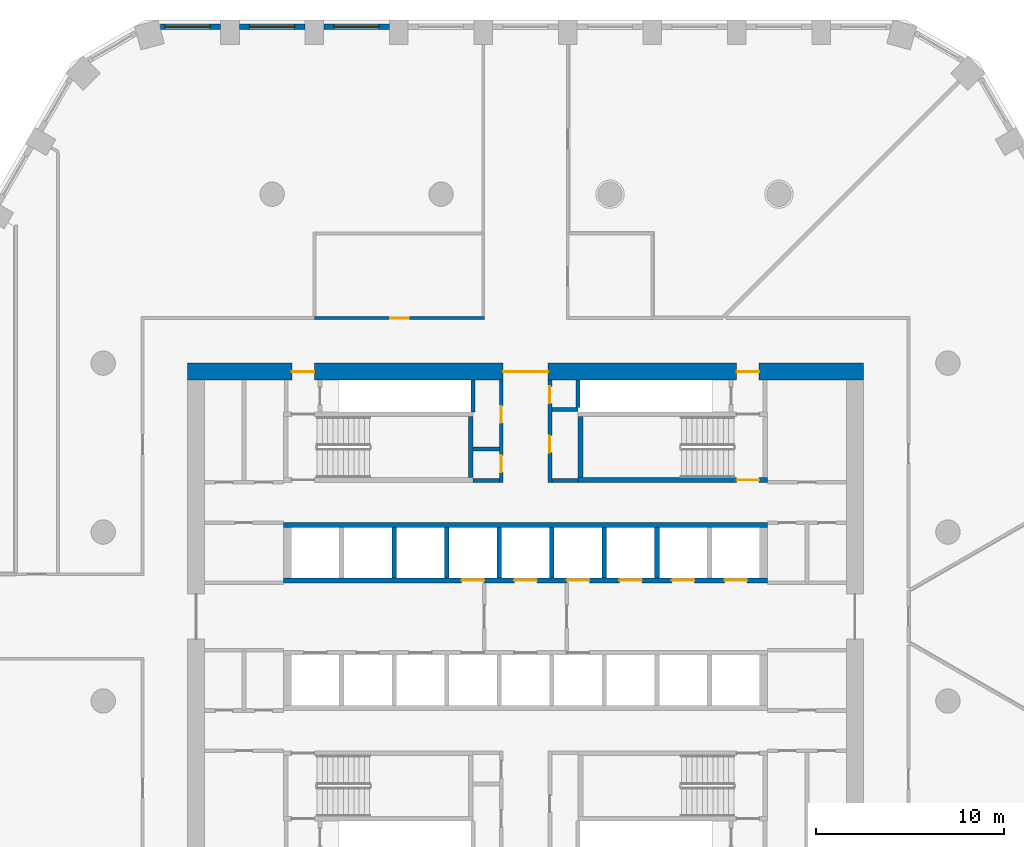
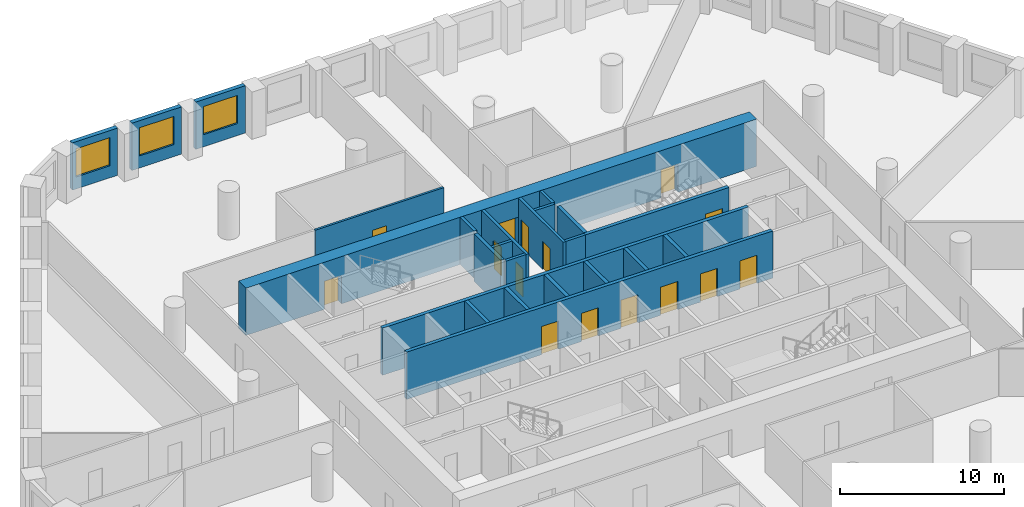
# One storey, part 6 of 14: 24 walls, 15 doors, 3 windows, 18 openings.
"""IFC4 building model written with IfcOpenShell, lengths in metres."""

from ifc_helpers import new_model, si_unit, direction, frame, frame_2d, origin, place, context, subcontext, project, spatial, polyline, rectangle, outline, extrude, material, layer, layer_set, type_object, element, fill, save


model = new_model("IFC4")

# Units and contexts
model_context = context("Model", 3, precision=1e-05, world=origin(), true_north=direction((0.0, 1.0)))
body_context = subcontext(model_context, "Body", "Model", "MODEL_VIEW")
ifc_project = project(units=[si_unit("LENGTHUNIT", "METRE"), si_unit("AREAUNIT", "SQUARE_METRE"), si_unit("VOLUMEUNIT", "CUBIC_METRE"), si_unit("PLANEANGLEUNIT", "RADIAN"), si_unit("MASSUNIT", "GRAM", prefix="KILO")], contexts=[model_context])

# Site, building, storey
site_placement = place(None, origin())
site = spatial("IfcSite", under=ifc_project, at=site_placement, CompositionType="ELEMENT")
building_placement = place(site_placement, origin())
building = spatial("IfcBuilding", under=site, at=building_placement, Name="Dhurran Vertical Campus", CompositionType="ELEMENT")
storey_placement = place(building_placement, frame((0.0, 0.0, 93.0)))
storey = spatial("IfcBuildingStorey", under=building, at=storey_placement, Name="L22", CompositionType="ELEMENT", Elevation=93.0)

# Wall, opening, window
ifc_material_1 = material(Name="Precast concrete C50/60", Category="concrete")
ifc_layer_1 = layer(ifc_material_1, 0.300048828125)
ifc_layer_set_1 = layer_set([ifc_layer_1], Name="Precast concrete C50/60")
wall_type_1 = type_object("IfcWallType", Name="Precast spandrel wall 300", PredefinedType="SOLIDWALL", material=ifc_layer_set_1)
wall_1_placement = place(storey_placement, frame((-7.25048828125, 31.4296875, 0.0), z_axis=(0.0, 0.0, 1.0), x_axis=(-1.0, 0.0, 0.0)))
wall_1 = element("IfcWall", 1, at=wall_1_placement, inside=storey, type_object=wall_type_1, Name="EW1 L22.32", PredefinedType="SOLIDWALL", context=body_context, shape_type="SweptSolid", body=[
    extrude(rectangle(XDim=3.4990234375, YDim=0.300048828125, at=frame_2d((1.74951171875, 0.0))), origin(), (0.0, 0.0, 1.0), 3.52490234375),
])
opening_1_placement = place(wall_1_placement, frame((0.549560546875, 0.0, 0.89990234375)))
opening_1 = element("IfcOpeningElement", 2, at=opening_1_placement, cuts=wall_1, Name="Opening WT1", PredefinedType="OPENING", context=body_context, shape_type="SweptSolid", body=[
    extrude(rectangle(XDim=2.39990234375, YDim=2.10009765625, at=frame_2d((1.199951171875, 1.050048828125))), frame((0.0, 0.159912109375, 0.0), z_axis=(0.0, -1.0, 0.0), x_axis=(1.0, 0.0, 0.0)), (0.0, 0.0, 1.0), 0.320068359375),
])
ifc_material_2 = material(Name="Aluminium frame with solar-control glass", Category="aluminium")
window_type = type_object("IfcWindowType", Name="Punched window 2400 x 2100", PartitioningType="SINGLE_PANEL", PredefinedType="WINDOW", material=ifc_material_2)
window_1_placement = place(opening_1_placement, origin())
window_1 = element("IfcWindow", 3, at=window_1_placement, inside=storey, type_object=window_type, Name="WT1 L22.32", OverallHeight=2.10009765625, OverallWidth=2.39990234375, PartitioningType="SINGLE_PANEL", PredefinedType="WINDOW", context=body_context, shape_type="SweptSolid", body=[
    extrude(rectangle(XDim=2.39990234375, YDim=2.10009765625, at=frame_2d((1.199951171875, 1.050048828125))), frame((0.0, 0.030029296875, 0.0), z_axis=(0.0, -1.0, 0.0), x_axis=(1.0, 0.0, 0.0)), (0.0, 0.0, 1.0), 0.06005859375),
])
fill(opening_1, window_1)

wall_2_placement = place(storey_placement, frame((-11.75048828125, 31.4296875, 0.0), z_axis=(0.0, 0.0, 1.0), x_axis=(-1.0, 0.0, 0.0)))
wall_2 = element("IfcWall", 4, at=wall_2_placement, inside=storey, type_object=wall_type_1, Name="EW1 L22.33", PredefinedType="SOLIDWALL", context=body_context, shape_type="SweptSolid", body=[
    extrude(rectangle(XDim=3.4990234375, YDim=0.300048828125, at=frame_2d((1.74951171875, 0.0))), origin(), (0.0, 0.0, 1.0), 3.52490234375),
])
opening_2_placement = place(wall_2_placement, frame((0.549560546875, 0.0, 0.89990234375)))
opening_2 = element("IfcOpeningElement", 5, at=opening_2_placement, cuts=wall_2, Name="Opening WT1", PredefinedType="OPENING", context=body_context, shape_type="SweptSolid", body=[
    extrude(rectangle(XDim=2.39990234375, YDim=2.10009765625, at=frame_2d((1.199951171875, 1.050048828125))), frame((0.0, 0.159912109375, 0.0), z_axis=(0.0, -1.0, 0.0), x_axis=(1.0, 0.0, 0.0)), (0.0, 0.0, 1.0), 0.320068359375),
])
window_2_placement = place(opening_2_placement, origin())
window_2 = element("IfcWindow", 6, at=window_2_placement, inside=storey, type_object=window_type, Name="WT1 L22.33", OverallHeight=2.10009765625, OverallWidth=2.39990234375, PartitioningType="SINGLE_PANEL", PredefinedType="WINDOW", context=body_context, shape_type="SweptSolid", body=[
    extrude(rectangle(XDim=2.39990234375, YDim=2.10009765625, at=frame_2d((1.199951171875, 1.050048828125))), frame((0.0, 0.030029296875, 0.0), z_axis=(0.0, -1.0, 0.0), x_axis=(1.0, 0.0, 0.0)), (0.0, 0.0, 1.0), 0.06005859375),
])
fill(opening_2, window_2)

wall_3_placement = place(storey_placement, frame((-16.25048828125, 31.4296875, 0.0), z_axis=(0.0, 0.0, 1.0), x_axis=(-1.0, 0.0, 0.0)))
wall_3 = element("IfcWall", 7, at=wall_3_placement, inside=storey, type_object=wall_type_1, Name="EW1 L22.34", PredefinedType="SOLIDWALL", context=body_context, shape_type="SweptSolid", body=[
    extrude(rectangle(XDim=3.1923828125, YDim=0.300048828125, at=frame_2d((1.59619140625, 0.0))), origin(), (0.0, 0.0, 1.0), 3.52490234375),
])
opening_3_placement = place(wall_3_placement, frame((0.549560546875, 0.0, 0.89990234375)))
opening_3 = element("IfcOpeningElement", 8, at=opening_3_placement, cuts=wall_3, Name="Opening WT1", PredefinedType="OPENING", context=body_context, shape_type="SweptSolid", body=[
    extrude(rectangle(XDim=2.39990234375, YDim=2.10009765625, at=frame_2d((1.199951171875, 1.050048828125))), frame((0.0, 0.159912109375, 0.0), z_axis=(0.0, -1.0, 0.0), x_axis=(1.0, 0.0, 0.0)), (0.0, 0.0, 1.0), 0.320068359375),
])
window_3_placement = place(opening_3_placement, origin())
window_3 = element("IfcWindow", 9, at=window_3_placement, inside=storey, type_object=window_type, Name="WT1 L22.34", OverallHeight=2.10009765625, OverallWidth=2.39990234375, PartitioningType="SINGLE_PANEL", PredefinedType="WINDOW", context=body_context, shape_type="SweptSolid", body=[
    extrude(rectangle(XDim=2.39990234375, YDim=2.10009765625, at=frame_2d((1.199951171875, 1.050048828125))), frame((0.0, 0.030029296875, 0.0), z_axis=(0.0, -1.0, 0.0), x_axis=(1.0, 0.0, 0.0)), (0.0, 0.0, 1.0), 0.06005859375),
])
fill(opening_3, window_3)

# Wall, openings, doors
ifc_material_3 = material(Name="Concrete C60/75", Category="concrete")
ifc_layer_2 = layer(ifc_material_3, 0.89990234375)
ifc_layer_set_2 = layer_set([ifc_layer_2], Name="Concrete C60/75")
wall_type_2 = type_object("IfcWallType", Name="co-CORE-WALL-C0-900", PredefinedType="SHEAR", material=ifc_layer_set_2)
wall_4_placement = place(storey_placement, frame((-18.0, 13.050048828125, 0.0), z_axis=(0.0, 0.0, 1.0), x_axis=(1.0, 0.0, 0.0)))
wall_4 = element("IfcWall", 10, at=wall_4_placement, inside=storey, type_object=wall_type_2, Name="Core wall N L22", PredefinedType="SHEAR", context=body_context, shape_type="SweptSolid", body=[
    extrude(rectangle(XDim=36.0, YDim=0.89990234375, at=frame_2d((18.0, 0.0))), origin(), (0.0, 0.0, 1.0), 3.52490234375),
])
opening_4_placement = place(wall_4_placement, frame((16.800048828125, 0.0, 0.0)))
opening_4 = element("IfcOpeningElement", 11, at=opening_4_placement, cuts=wall_4, Name="Opening CV1", PredefinedType="OPENING", context=body_context, shape_type="SweptSolid", body=[
    extrude(rectangle(XDim=2.39990234375, YDim=2.10009765625, at=frame_2d((1.199951171875, 1.050048828125))), frame((0.0, 0.4599609375, 0.0), z_axis=(0.0, -1.0, 0.0), x_axis=(1.0, 0.0, 0.0)), (0.0, 0.0, 1.0), 0.919921875),
])
opening_5_placement = place(wall_4_placement, frame((5.550048828125, 0.0, 0.0)))
opening_5 = element("IfcOpeningElement", 12, at=opening_5_placement, cuts=wall_4, Name="Opening XD1", PredefinedType="OPENING", context=body_context, shape_type="SweptSolid", body=[
    extrude(rectangle(XDim=1.199951171875, YDim=2.10009765625, at=frame_2d((0.60009765625, 1.050048828125))), frame((0.0, 0.4599609375, 0.0), z_axis=(0.0, -1.0, 0.0), x_axis=(1.0, 0.0, 0.0)), (0.0, 0.0, 1.0), 0.919921875),
])
opening_6_placement = place(wall_4_placement, frame((29.25, 0.0, 0.0)))
opening_6 = element("IfcOpeningElement", 13, at=opening_6_placement, cuts=wall_4, Name="Opening XD2", PredefinedType="OPENING", context=body_context, shape_type="SweptSolid", body=[
    extrude(rectangle(XDim=1.199951171875, YDim=2.10009765625, at=frame_2d((0.60009765625, 1.050048828125))), frame((0.0, 0.4599609375, 0.0), z_axis=(0.0, -1.0, 0.0), x_axis=(1.0, 0.0, 0.0)), (0.0, 0.0, 1.0), 0.919921875),
])
ifc_material_4 = material(Name="Fire-rated glazed door set")
door_type_1 = type_object("IfcDoorType", Name="co-D-LOBBY 2400x2100", OperationType="DOUBLE_DOOR_DOUBLE_SWING", PredefinedType="DOOR", material=ifc_material_4)
door_1_placement = place(opening_4_placement, origin())
door_1 = element("IfcDoor", 14, at=door_1_placement, inside=storey, type_object=door_type_1, Name="Core vestibule door N L22", OperationType="DOUBLE_DOOR_DOUBLE_SWING", OverallHeight=2.10009765625, OverallWidth=2.39990234375, PredefinedType="DOOR", context=body_context, shape_type="SweptSolid", body=[
    extrude(rectangle(XDim=2.39990234375, YDim=2.10009765625, at=frame_2d((1.199951171875, 1.050048828125))), frame((0.0, 0.02490234375, 0.0), z_axis=(0.0, -1.0, 0.0), x_axis=(1.0, 0.0, 0.0)), (0.0, 0.0, 1.0), 0.050048828125),
])
fill(opening_4, door_1)
ifc_material_5 = material(Name="Fire-rated steel door set", Category="steel")
door_type_2 = type_object("IfcDoorType", Name="co-D-STAIR-EXIT 1200x2100", OperationType="SINGLE_SWING_RIGHT", PredefinedType="DOOR", material=ifc_material_5)
door_2_placement = place(opening_5_placement, origin())
door_2 = element("IfcDoor", 15, at=door_2_placement, inside=storey, type_object=door_type_2, Name="Stair ST1 exit door L22", OperationType="SINGLE_SWING_RIGHT", OverallHeight=2.10009765625, OverallWidth=1.199951171875, PredefinedType="DOOR", context=body_context, shape_type="SweptSolid", body=[
    extrude(rectangle(XDim=1.199951171875, YDim=2.10009765625, at=frame_2d((0.60009765625, 1.050048828125))), frame((0.0, 0.02490234375, 0.0), z_axis=(0.0, -1.0, 0.0), x_axis=(1.0, 0.0, 0.0)), (0.0, 0.0, 1.0), 0.050048828125),
])
fill(opening_5, door_2)
door_3_placement = place(opening_6_placement, origin())
door_3 = element("IfcDoor", 16, at=door_3_placement, inside=storey, type_object=door_type_2, Name="Stair ST2 exit door L22", OperationType="SINGLE_SWING_RIGHT", OverallHeight=2.10009765625, OverallWidth=1.199951171875, PredefinedType="DOOR", context=body_context, shape_type="SweptSolid", body=[
    extrude(rectangle(XDim=1.199951171875, YDim=2.10009765625, at=frame_2d((0.60009765625, 1.050048828125))), frame((0.0, 0.02490234375, 0.0), z_axis=(0.0, -1.0, 0.0), x_axis=(1.0, 0.0, 0.0)), (0.0, 0.0, 1.0), 0.050048828125),
])
fill(opening_6, door_3)

# Walls
ifc_material_6 = material(Name="Fire-rated masonry blockwork", Category="masonry")
ifc_layer_3 = layer(ifc_material_6, 0.199951171875)
ifc_layer_set_3 = layer_set([ifc_layer_3], Name="Fire-rated masonry blockwork")
wall_type_3 = type_object("IfcWallType", Name="co-FIRE-PARTITION-200", PredefinedType="PARTITIONING", material=ifc_layer_set_3)
for number, where, z_axis, x_axis, name in (
    (17, (-2.800048828125, 7.25, 0.0), (0.0, 0.0, 1.0), (1.0, 0.0, 0.0), "Core partition sl-NW-S L22"),
    (18, (-2.800048828125, 8.925048828125, 0.0), (0.0, 0.0, 1.0), (1.0, 0.0, 0.0), "Core partition sl-NW-cut0 L22"),
    (19, (1.39990234375, 7.25, 0.0), (0.0, 0.0, 1.0), (1.0, 0.0, 0.0), "Core partition sl-NE-S L22"),
    (20, (1.39990234375, 11.02490234375, 0.0), (0.0, 0.0, 1.0), (1.0, 0.0, 0.0), "Core partition sl-NE-cut0 L22"),
):
    element("IfcWall", number, at=place(storey_placement, frame(where, z_axis=z_axis, x_axis=x_axis)), inside=storey, type_object=wall_type_3, Name=name, PredefinedType="PARTITIONING", context=body_context, shape_type="SweptSolid", body=[
        extrude(rectangle(XDim=1.400146484375, YDim=0.199951171875, at=frame_2d((0.7001953125, 0.0))), origin(), (0.0, 0.0, 1.0), 3.52490234375),
    ])

# Wall, openings, doors
wall_5_placement = place(storey_placement, frame((-1.300048828125, 7.14990234375, 0.0), z_axis=(0.0, 0.0, 1.0), x_axis=(0.0, 1.0, 0.0)))
wall_5 = element("IfcWall", 21, at=wall_5_placement, inside=storey, type_object=wall_type_3, Name="Core partition vest-NW L22", PredefinedType="PARTITIONING", context=body_context, shape_type="SweptSolid", body=[
    extrude(rectangle(XDim=5.4501953125, YDim=0.199951171875, at=frame_2d((2.72509765625, 0.0))), origin(), (0.0, 0.0, 1.0), 3.52490234375),
])
opening_7_placement = place(wall_5_placement, frame((0.53759765625, 0.0, 0.0)))
opening_7 = element("IfcOpeningElement", 22, at=opening_7_placement, cuts=wall_5, Name="Opening T06-C4", PredefinedType="OPENING", context=body_context, shape_type="SweptSolid", body=[
    extrude(rectangle(XDim=0.89990234375, YDim=2.10009765625, at=frame_2d((0.449951171875, 1.050048828125))), frame((0.0, 0.10986328125, 0.0), z_axis=(0.0, -1.0, 0.0), x_axis=(1.0, 0.0, 0.0)), (0.0, 0.0, 1.0), 0.219970703125),
])
opening_8_placement = place(wall_5_placement, frame((3.16259765625, 0.0, 0.0)))
opening_8 = element("IfcOpeningElement", 23, at=opening_8_placement, cuts=wall_5, Name="Opening T06-C5", PredefinedType="OPENING", context=body_context, shape_type="SweptSolid", body=[
    extrude(rectangle(XDim=0.89990234375, YDim=2.10009765625, at=frame_2d((0.449951171875, 1.050048828125))), frame((0.0, 0.10986328125, 0.0), z_axis=(0.0, -1.0, 0.0), x_axis=(1.0, 0.0, 0.0)), (0.0, 0.0, 1.0), 0.219970703125),
])
ifc_material_7 = material(Name="Fire-rated timber door set", Category="wood")
door_type_3 = type_object("IfcDoorType", Name="co-D-ROOM 900x2100", OperationType="SINGLE_SWING_LEFT", PredefinedType="DOOR", material=ifc_material_7)
door_4_placement = place(opening_7_placement, origin())
door_4 = element("IfcDoor", 24, at=door_4_placement, inside=storey, type_object=door_type_3, Name="Pantry door L22", OperationType="SINGLE_SWING_LEFT", OverallHeight=2.10009765625, OverallWidth=0.89990234375, PredefinedType="DOOR", context=body_context, shape_type="SweptSolid", body=[
    extrude(rectangle(XDim=0.89990234375, YDim=2.10009765625, at=frame_2d((0.449951171875, 1.050048828125))), frame((0.0, 0.02490234375, 0.0), z_axis=(0.0, -1.0, 0.0), x_axis=(1.0, 0.0, 0.0)), (0.0, 0.0, 1.0), 0.050048828125),
])
fill(opening_7, door_4)
door_5_placement = place(opening_8_placement, origin())
door_5 = element("IfcDoor", 25, at=door_5_placement, inside=storey, type_object=door_type_3, Name="Store door L22", OperationType="SINGLE_SWING_LEFT", OverallHeight=2.10009765625, OverallWidth=0.89990234375, PredefinedType="DOOR", context=body_context, shape_type="SweptSolid", body=[
    extrude(rectangle(XDim=0.89990234375, YDim=2.10009765625, at=frame_2d((0.449951171875, 1.050048828125))), frame((0.0, 0.02490234375, 0.0), z_axis=(0.0, -1.0, 0.0), x_axis=(1.0, 0.0, 0.0)), (0.0, 0.0, 1.0), 0.050048828125),
])
fill(opening_8, door_5)

wall_6_placement = place(storey_placement, frame((1.300048828125, 7.14990234375, 0.0), z_axis=(0.0, 0.0, 1.0), x_axis=(0.0, 1.0, 0.0)))
wall_6 = element("IfcWall", 26, at=wall_6_placement, inside=storey, type_object=wall_type_3, Name="Core partition vest-NE L22", PredefinedType="PARTITIONING", context=body_context, shape_type="SweptSolid", body=[
    extrude(rectangle(XDim=5.4501953125, YDim=0.199951171875, at=frame_2d((2.72509765625, 0.0))), origin(), (0.0, 0.0, 1.0), 3.52490234375),
])
opening_9_placement = place(wall_6_placement, frame((1.58740234375, 0.0, 0.0)))
opening_9 = element("IfcOpeningElement", 27, at=opening_9_placement, cuts=wall_6, Name="Opening T06-C6", PredefinedType="OPENING", context=body_context, shape_type="SweptSolid", body=[
    extrude(rectangle(XDim=0.89990234375, YDim=2.10009765625, at=frame_2d((0.449951171875, 1.050048828125))), frame((0.0, 0.10986328125, 0.0), z_axis=(0.0, -1.0, 0.0), x_axis=(1.0, 0.0, 0.0)), (0.0, 0.0, 1.0), 0.219970703125),
])
opening_10_placement = place(wall_6_placement, frame((4.21240234375, 0.0, 0.0)))
opening_10 = element("IfcOpeningElement", 28, at=opening_10_placement, cuts=wall_6, Name="Opening T06-C7", PredefinedType="OPENING", context=body_context, shape_type="SweptSolid", body=[
    extrude(rectangle(XDim=0.89990234375, YDim=2.10009765625, at=frame_2d((0.449951171875, 1.050048828125))), frame((0.0, 0.10986328125, 0.0), z_axis=(0.0, -1.0, 0.0), x_axis=(1.0, 0.0, 0.0)), (0.0, 0.0, 1.0), 0.219970703125),
])
door_6_placement = place(opening_9_placement, origin())
door_6 = element("IfcDoor", 29, at=door_6_placement, inside=storey, type_object=door_type_3, Name="Communications room door L22", OperationType="SINGLE_SWING_LEFT", OverallHeight=2.10009765625, OverallWidth=0.89990234375, PredefinedType="DOOR", context=body_context, shape_type="SweptSolid", body=[
    extrude(rectangle(XDim=0.89990234375, YDim=2.10009765625, at=frame_2d((0.449951171875, 1.050048828125))), frame((0.0, 0.02490234375, 0.0), z_axis=(0.0, -1.0, 0.0), x_axis=(1.0, 0.0, 0.0)), (0.0, 0.0, 1.0), 0.050048828125),
])
fill(opening_9, door_6)
door_7_placement = place(opening_10_placement, origin())
door_7 = element("IfcDoor", 30, at=door_7_placement, inside=storey, type_object=door_type_3, Name="Plant room door L22", OperationType="SINGLE_SWING_LEFT", OverallHeight=2.10009765625, OverallWidth=0.89990234375, PredefinedType="DOOR", context=body_context, shape_type="SweptSolid", body=[
    extrude(rectangle(XDim=0.89990234375, YDim=2.10009765625, at=frame_2d((0.449951171875, 1.050048828125))), frame((0.0, 0.02490234375, 0.0), z_axis=(0.0, -1.0, 0.0), x_axis=(1.0, 0.0, 0.0)), (0.0, 0.0, 1.0), 0.050048828125),
])
fill(opening_10, door_7)

# Walls
wall_7_placement = place(storey_placement, frame((-2.800048828125, 10.90087890625, 0.0), z_axis=(0.0, 0.0, 1.0), x_axis=(0.0, 1.0, 0.0)))
element("IfcWall", 31, at=wall_7_placement, inside=storey, type_object=wall_type_3, Name="Riser enclosure wall L22", PredefinedType="PARTITIONING", context=body_context, shape_type="SweptSolid", body=[
    extrude(rectangle(XDim=1.6982421875, YDim=0.199951171875, at=frame_2d((0.84912109375, 0.0))), origin(), (0.0, 0.0, 1.0), 3.52490234375),
])
wall_8_placement = place(storey_placement, frame((2.800048828125, 12.59912109375, 0.0), z_axis=(0.0, 0.0, 1.0), x_axis=(0.0, -1.0, 0.0)))
element("IfcWall", 32, at=wall_8_placement, inside=storey, type_object=wall_type_3, Name="Riser enclosure wall L22", PredefinedType="PARTITIONING", context=body_context, shape_type="SweptSolid", body=[
    extrude(rectangle(XDim=1.47314453125, YDim=0.199951171875, at=frame_2d((0.736572265625, 0.0))), origin(), (0.0, 0.0, 1.0), 3.52490234375),
])

# Wall, openings, doors
ifc_material_8 = material(Name="Concrete C50/60", Category="concrete")
ifc_layer_4 = layer(ifc_material_8, 0.25)
ifc_layer_set_4 = layer_set([ifc_layer_4], Name="Concrete C50/60")
wall_type_4 = type_object("IfcWallType", Name="co-SHAFT-FRONT-250", PredefinedType="SHEAR", material=ifc_layer_set_4)
wall_9_placement = place(storey_placement, frame((-12.89990234375, 1.925048828125, 0.0), z_axis=(0.0, 0.0, 1.0), x_axis=(1.0, 0.0, 0.0)))
wall_9 = element("IfcWall", 33, at=wall_9_placement, inside=storey, type_object=wall_type_4, Name="Lift landing wall N L22", PredefinedType="SHEAR", context=body_context, shape_type="SweptSolid", body=[
    extrude(rectangle(XDim=25.7998046875, YDim=0.25, at=frame_2d((12.89990234375, 0.0))), origin(), (0.0, 0.0, 1.0), 3.52490234375),
])
opening_11_placement = place(wall_9_placement, frame((9.5, 0.0, 0.0)))
opening_11 = element("IfcOpeningElement", 34, at=opening_11_placement, cuts=wall_9, Name="Opening LD", PredefinedType="OPENING", context=body_context, shape_type="SweptSolid", body=[
    extrude(rectangle(XDim=1.199951171875, YDim=2.10009765625, at=frame_2d((0.60009765625, 1.050048828125))), frame((0.0, 0.135009765625, 0.0), z_axis=(0.0, -1.0, 0.0), x_axis=(1.0, 0.0, 0.0)), (0.0, 0.0, 1.0), 0.27001953125),
])
opening_12_placement = place(wall_9_placement, frame((12.300048828125, 0.0, 0.0)))
opening_12 = element("IfcOpeningElement", 35, at=opening_12_placement, cuts=wall_9, Name="Opening LD", PredefinedType="OPENING", context=body_context, shape_type="SweptSolid", body=[
    extrude(rectangle(XDim=1.199951171875, YDim=2.10009765625, at=frame_2d((0.60009765625, 1.050048828125))), frame((0.0, 0.135009765625, 0.0), z_axis=(0.0, -1.0, 0.0), x_axis=(1.0, 0.0, 0.0)), (0.0, 0.0, 1.0), 0.27001953125),
])
opening_13_placement = place(wall_9_placement, frame((15.10009765625, 0.0, 0.0)))
opening_13 = element("IfcOpeningElement", 36, at=opening_13_placement, cuts=wall_9, Name="Opening LD", PredefinedType="OPENING", context=body_context, shape_type="SweptSolid", body=[
    extrude(rectangle(XDim=1.199951171875, YDim=2.10009765625, at=frame_2d((0.60009765625, 1.050048828125))), frame((0.0, 0.135009765625, 0.0), z_axis=(0.0, -1.0, 0.0), x_axis=(1.0, 0.0, 0.0)), (0.0, 0.0, 1.0), 0.27001953125),
])
opening_14_placement = place(wall_9_placement, frame((17.89990234375, 0.0, 0.0)))
opening_14 = element("IfcOpeningElement", 37, at=opening_14_placement, cuts=wall_9, Name="Opening LD", PredefinedType="OPENING", context=body_context, shape_type="SweptSolid", body=[
    extrude(rectangle(XDim=1.199951171875, YDim=2.10009765625, at=frame_2d((0.60009765625, 1.050048828125))), frame((0.0, 0.135009765625, 0.0), z_axis=(0.0, -1.0, 0.0), x_axis=(1.0, 0.0, 0.0)), (0.0, 0.0, 1.0), 0.27001953125),
])
opening_15_placement = place(wall_9_placement, frame((20.699951171875, 0.0, 0.0)))
opening_15 = element("IfcOpeningElement", 38, at=opening_15_placement, cuts=wall_9, Name="Opening LD", PredefinedType="OPENING", context=body_context, shape_type="SweptSolid", body=[
    extrude(rectangle(XDim=1.199951171875, YDim=2.10009765625, at=frame_2d((0.60009765625, 1.050048828125))), frame((0.0, 0.135009765625, 0.0), z_axis=(0.0, -1.0, 0.0), x_axis=(1.0, 0.0, 0.0)), (0.0, 0.0, 1.0), 0.27001953125),
])
opening_16_placement = place(wall_9_placement, frame((23.5, 0.0, 0.0)))
opening_16 = element("IfcOpeningElement", 39, at=opening_16_placement, cuts=wall_9, Name="Opening LD", PredefinedType="OPENING", context=body_context, shape_type="SweptSolid", body=[
    extrude(rectangle(XDim=1.199951171875, YDim=2.10009765625, at=frame_2d((0.60009765625, 1.050048828125))), frame((0.0, 0.135009765625, 0.0), z_axis=(0.0, -1.0, 0.0), x_axis=(1.0, 0.0, 0.0)), (0.0, 0.0, 1.0), 0.27001953125),
])
ifc_material_9 = material(Name="Stainless steel landing door", Category="steel")
door_type_4 = type_object("IfcDoorType", Name="co-D-LANDING 1200x2100", OperationType="DOUBLE_DOOR_SLIDING", PredefinedType="DOOR", material=ifc_material_9)
door_8_placement = place(opening_11_placement, origin())
door_8 = element("IfcDoor", 40, at=door_8_placement, inside=storey, type_object=door_type_4, Name="Landing door LR1 L22", OperationType="DOUBLE_DOOR_SLIDING", OverallHeight=2.10009765625, OverallWidth=1.199951171875, PredefinedType="DOOR", context=body_context, shape_type="SweptSolid", body=[
    extrude(rectangle(XDim=1.199951171875, YDim=2.10009765625, at=frame_2d((0.60009765625, 1.050048828125))), frame((0.0, 0.02490234375, 0.0), z_axis=(0.0, -1.0, 0.0), x_axis=(1.0, 0.0, 0.0)), (0.0, 0.0, 1.0), 0.050048828125),
])
fill(opening_11, door_8)
door_9_placement = place(opening_12_placement, origin())
door_9 = element("IfcDoor", 41, at=door_9_placement, inside=storey, type_object=door_type_4, Name="Landing door FF1 L22", OperationType="DOUBLE_DOOR_SLIDING", OverallHeight=2.10009765625, OverallWidth=1.199951171875, PredefinedType="DOOR", context=body_context, shape_type="SweptSolid", body=[
    extrude(rectangle(XDim=1.199951171875, YDim=2.10009765625, at=frame_2d((0.60009765625, 1.050048828125))), frame((0.0, 0.02490234375, 0.0), z_axis=(0.0, -1.0, 0.0), x_axis=(1.0, 0.0, 0.0)), (0.0, 0.0, 1.0), 0.050048828125),
])
fill(opening_12, door_9)
door_10_placement = place(opening_13_placement, origin())
door_10 = element("IfcDoor", 42, at=door_10_placement, inside=storey, type_object=door_type_4, Name="Landing door LR2 L22", OperationType="DOUBLE_DOOR_SLIDING", OverallHeight=2.10009765625, OverallWidth=1.199951171875, PredefinedType="DOOR", context=body_context, shape_type="SweptSolid", body=[
    extrude(rectangle(XDim=1.199951171875, YDim=2.10009765625, at=frame_2d((0.60009765625, 1.050048828125))), frame((0.0, 0.02490234375, 0.0), z_axis=(0.0, -1.0, 0.0), x_axis=(1.0, 0.0, 0.0)), (0.0, 0.0, 1.0), 0.050048828125),
])
fill(opening_13, door_10)
door_11_placement = place(opening_14_placement, origin())
door_11 = element("IfcDoor", 43, at=door_11_placement, inside=storey, type_object=door_type_4, Name="Landing door LR3 L22", OperationType="DOUBLE_DOOR_SLIDING", OverallHeight=2.10009765625, OverallWidth=1.199951171875, PredefinedType="DOOR", context=body_context, shape_type="SweptSolid", body=[
    extrude(rectangle(XDim=1.199951171875, YDim=2.10009765625, at=frame_2d((0.60009765625, 1.050048828125))), frame((0.0, 0.02490234375, 0.0), z_axis=(0.0, -1.0, 0.0), x_axis=(1.0, 0.0, 0.0)), (0.0, 0.0, 1.0), 0.050048828125),
])
fill(opening_14, door_11)
door_12_placement = place(opening_15_placement, origin())
door_12 = element("IfcDoor", 44, at=door_12_placement, inside=storey, type_object=door_type_4, Name="Landing door LR4 L22", OperationType="DOUBLE_DOOR_SLIDING", OverallHeight=2.10009765625, OverallWidth=1.199951171875, PredefinedType="DOOR", context=body_context, shape_type="SweptSolid", body=[
    extrude(rectangle(XDim=1.199951171875, YDim=2.10009765625, at=frame_2d((0.60009765625, 1.050048828125))), frame((0.0, 0.02490234375, 0.0), z_axis=(0.0, -1.0, 0.0), x_axis=(1.0, 0.0, 0.0)), (0.0, 0.0, 1.0), 0.050048828125),
])
fill(opening_15, door_12)
door_13_placement = place(opening_16_placement, origin())
door_13 = element("IfcDoor", 45, at=door_13_placement, inside=storey, type_object=door_type_4, Name="Landing door SV2 L22", OperationType="DOUBLE_DOOR_SLIDING", OverallHeight=2.10009765625, OverallWidth=1.199951171875, PredefinedType="DOOR", context=body_context, shape_type="SweptSolid", body=[
    extrude(rectangle(XDim=1.199951171875, YDim=2.10009765625, at=frame_2d((0.60009765625, 1.050048828125))), frame((0.0, 0.02490234375, 0.0), z_axis=(0.0, -1.0, 0.0), x_axis=(1.0, 0.0, 0.0)), (0.0, 0.0, 1.0), 0.050048828125),
])
fill(opening_16, door_13)

# Walls
ifc_material_10 = material(Name="Concrete C50/60", Category="concrete")
ifc_layer_5 = layer(ifc_material_10, 0.25)
ifc_layer_set_5 = layer_set([ifc_layer_5], Name="Concrete C50/60")
wall_type_5 = type_object("IfcWallType", Name="co-SHAFT-MASS-250", PredefinedType="SHEAR", material=ifc_layer_set_5)
wall_10_placement = place(storey_placement, origin())
element("IfcWall", 46, at=wall_10_placement, inside=storey, type_object=wall_type_5, Name="Lift shaft wall N L22 1", PredefinedType="SHEAR", context=body_context, shape_type="SweptSolid", body=[
    extrude(outline(polyline([(-12.89990234375, 4.75), (12.89990234375, 4.75), (12.89990234375, 5.0), (-12.89990234375, 5.0), (-12.89990234375, 4.75)])), origin(), (0.0, 0.0, 1.0), 3.52490234375),
])
wall_11_placement = place(storey_placement, origin())
element("IfcWall", 47, at=wall_11_placement, inside=storey, type_object=wall_type_5, Name="Lift shaft wall N L22 4", PredefinedType="SHEAR", context=body_context, shape_type="SweptSolid", body=[
    extrude(outline(polyline([(-7.125, 2.050048828125), (-6.875, 2.050048828125), (-6.875, 4.75), (-7.125, 4.75), (-7.125, 2.050048828125)])), origin(), (0.0, 0.0, 1.0), 3.52490234375),
])
wall_12_placement = place(storey_placement, origin())
element("IfcWall", 48, at=wall_12_placement, inside=storey, type_object=wall_type_5, Name="Lift shaft wall N L22 5", PredefinedType="SHEAR", context=body_context, shape_type="SweptSolid", body=[
    extrude(outline(polyline([(-4.324951171875, 2.050048828125), (-4.074951171875, 2.050048828125), (-4.074951171875, 4.75), (-4.324951171875, 4.75), (-4.324951171875, 2.050048828125)])), origin(), (0.0, 0.0, 1.0), 3.52490234375),
])
wall_13_placement = place(storey_placement, origin())
element("IfcWall", 49, at=wall_13_placement, inside=storey, type_object=wall_type_5, Name="Lift shaft wall N L22 6", PredefinedType="SHEAR", context=body_context, shape_type="SweptSolid", body=[
    extrude(outline(polyline([(-1.52490234375, 2.050048828125), (-1.27490234375, 2.050048828125), (-1.27490234375, 4.75), (-1.52490234375, 4.75), (-1.52490234375, 2.050048828125)])), origin(), (0.0, 0.0, 1.0), 3.52490234375),
])
wall_14_placement = place(storey_placement, origin())
element("IfcWall", 50, at=wall_14_placement, inside=storey, type_object=wall_type_5, Name="Lift shaft wall N L22 7", PredefinedType="SHEAR", context=body_context, shape_type="SweptSolid", body=[
    extrude(outline(polyline([(1.27490234375, 2.050048828125), (1.52490234375, 2.050048828125), (1.52490234375, 4.75), (1.27490234375, 4.75), (1.27490234375, 2.050048828125)])), origin(), (0.0, 0.0, 1.0), 3.52490234375),
])
wall_15_placement = place(storey_placement, origin())
element("IfcWall", 51, at=wall_15_placement, inside=storey, type_object=wall_type_5, Name="Lift shaft wall N L22 8", PredefinedType="SHEAR", context=body_context, shape_type="SweptSolid", body=[
    extrude(outline(polyline([(4.074951171875, 2.050048828125), (4.324951171875, 2.050048828125), (4.324951171875, 4.75), (4.074951171875, 4.75), (4.074951171875, 2.050048828125)])), origin(), (0.0, 0.0, 1.0), 3.52490234375),
])
wall_16_placement = place(storey_placement, origin())
element("IfcWall", 52, at=wall_16_placement, inside=storey, type_object=wall_type_5, Name="Lift shaft wall N L22 9", PredefinedType="SHEAR", context=body_context, shape_type="SweptSolid", body=[
    extrude(outline(polyline([(6.875, 2.050048828125), (7.125, 2.050048828125), (7.125, 4.75), (6.875, 4.75), (6.875, 2.050048828125)])), origin(), (0.0, 0.0, 1.0), 3.52490234375),
])
ifc_material_11 = material(Name="Concrete C40/50", Category="concrete")
ifc_layer_6 = layer(ifc_material_11, 0.25)
ifc_layer_set_6 = layer_set([ifc_layer_6], Name="Concrete C40/50")
wall_type_6 = type_object("IfcWallType", Name="co-STAIR-WALL-250", PredefinedType="SHEAR", material=ifc_layer_set_6)
wall_17_placement = place(storey_placement, frame((-2.925048828125, 7.39990234375, 0.0), z_axis=(0.0, 0.0, 1.0), x_axis=(0.0, 1.0, 0.0)))
element("IfcWall", 53, at=wall_17_placement, inside=storey, type_object=wall_type_6, Name="Stair ST1 enclosure wall L22", PredefinedType="SHEAR", context=body_context, shape_type="SweptSolid", body=[
    extrude(rectangle(XDim=3.25, YDim=0.25, at=frame_2d((1.625, 0.0))), origin(), (0.0, 0.0, 1.0), 3.52490234375),
])

# Wall, opening, door
wall_18_placement = place(storey_placement, frame((2.800048828125, 7.27490234375, 0.0), z_axis=(0.0, 0.0, 1.0), x_axis=(1.0, 0.0, 0.0)))
wall_18 = element("IfcWall", 54, at=wall_18_placement, inside=storey, type_object=wall_type_6, Name="Stair ST2 enclosure wall L22", PredefinedType="SHEAR", context=body_context, shape_type="SweptSolid", body=[
    extrude(rectangle(XDim=10.099853515625, YDim=0.25, at=frame_2d((5.0498046875, 0.0))), origin(), (0.0, 0.0, 1.0), 3.52490234375),
])
opening_17_placement = place(wall_18_placement, frame((8.449951171875, 0.0, 0.0)))
opening_17 = element("IfcOpeningElement", 55, at=opening_17_placement, cuts=wall_18, Name="Opening SD2", PredefinedType="OPENING", context=body_context, shape_type="SweptSolid", body=[
    extrude(rectangle(XDim=1.199951171875, YDim=2.10009765625, at=frame_2d((0.60009765625, 1.050048828125))), frame((0.0, 0.135009765625, 0.0), z_axis=(0.0, -1.0, 0.0), x_axis=(1.0, 0.0, 0.0)), (0.0, 0.0, 1.0), 0.27001953125),
])
ifc_material_12 = material(Name="Fire-rated steel door set", Category="steel")
door_type_5 = type_object("IfcDoorType", Name="co-D-STAIR 1200x2100", OperationType="SINGLE_SWING_LEFT", PredefinedType="DOOR", material=ifc_material_12)
door_14_placement = place(opening_17_placement, origin())
door_14 = element("IfcDoor", 56, at=door_14_placement, inside=storey, type_object=door_type_5, Name="Stair ST2 door L22", OperationType="SINGLE_SWING_LEFT", OverallHeight=2.10009765625, OverallWidth=1.199951171875, PredefinedType="DOOR", context=body_context, shape_type="SweptSolid", body=[
    extrude(rectangle(XDim=1.199951171875, YDim=2.10009765625, at=frame_2d((0.60009765625, 1.050048828125))), frame((0.0, 0.02490234375, 0.0), z_axis=(0.0, -1.0, 0.0), x_axis=(1.0, 0.0, 0.0)), (0.0, 0.0, 1.0), 0.050048828125),
])
fill(opening_17, door_14)

# Wall
wall_19_placement = place(storey_placement, frame((2.925048828125, 7.39990234375, 0.0), z_axis=(0.0, 0.0, 1.0), x_axis=(0.0, 1.0, 0.0)))
element("IfcWall", 57, at=wall_19_placement, inside=storey, type_object=wall_type_6, Name="Stair ST2 enclosure wall L22", PredefinedType="SHEAR", context=body_context, shape_type="SweptSolid", body=[
    extrude(rectangle(XDim=3.25, YDim=0.25, at=frame_2d((1.625, 0.0))), origin(), (0.0, 0.0, 1.0), 3.52490234375),
])

# Wall, opening, door
ifc_material_13 = material(Name="Gypsum board corridor wall on steel studs", Category="steel")
ifc_layer_7 = layer(ifc_material_13, 0.14990234375)
ifc_layer_set_7 = layer_set([ifc_layer_7], Name="Gypsum board corridor wall on steel studs")
wall_type_7 = type_object("IfcWallType", Name="fl-CW-150 corridor wall", PredefinedType="PARTITIONING", material=ifc_layer_set_7)
wall_20_placement = place(storey_placement, frame((-2.175048828125, 15.89990234375, 0.0), z_axis=(0.0, 0.0, 1.0), x_axis=(-1.0, 0.0, 0.0)))
wall_20 = element("IfcWall", 58, at=wall_20_placement, inside=storey, type_object=wall_type_7, Name="Partition 22-22", PredefinedType="PARTITIONING", context=body_context, shape_type="SweptSolid", body=[
    extrude(rectangle(XDim=9.074951171875, YDim=0.14990234375, at=frame_2d((4.53759765625, 0.0))), origin(), (0.0, 0.0, 1.0), 3.52490234375),
])
opening_18_placement = place(wall_20_placement, frame((4.03759765625, 0.0, 0.0)))
opening_18 = element("IfcOpeningElement", 59, at=opening_18_placement, cuts=wall_20, Name="Opening T06.09", PredefinedType="OPENING", context=body_context, shape_type="SweptSolid", body=[
    extrude(rectangle(XDim=1.0, YDim=2.10009765625, at=frame_2d((0.5, 1.050048828125))), frame((0.0, 0.0849609375, 0.0), z_axis=(0.0, -1.0, 0.0), x_axis=(1.0, 0.0, 0.0)), (0.0, 0.0, 1.0), 0.169921875),
])
ifc_material_14 = material(Name="Solid-core timber door set, fire-rated", Category="wood")
door_type_6 = type_object("IfcDoorType", Name="fl-D-1000x2100", OperationType="SINGLE_SWING_LEFT", PredefinedType="DOOR", material=ifc_material_14)
door_15_placement = place(opening_18_placement, origin())
door_15 = element("IfcDoor", 60, at=door_15_placement, inside=storey, type_object=door_type_6, Name="Door 22.09", OperationType="SINGLE_SWING_RIGHT", OverallHeight=2.10009765625, OverallWidth=1.0, PredefinedType="DOOR", context=body_context, shape_type="SweptSolid", body=[
    extrude(rectangle(XDim=1.0, YDim=2.10009765625, at=frame_2d((0.5, 1.050048828125))), frame((0.0, 0.02490234375, 0.0), z_axis=(0.0, -1.0, 0.0), x_axis=(1.0, 0.0, 0.0)), (0.0, 0.0, 1.0), 0.050048828125),
])
fill(opening_18, door_15)

save(model, "model.ifc")
